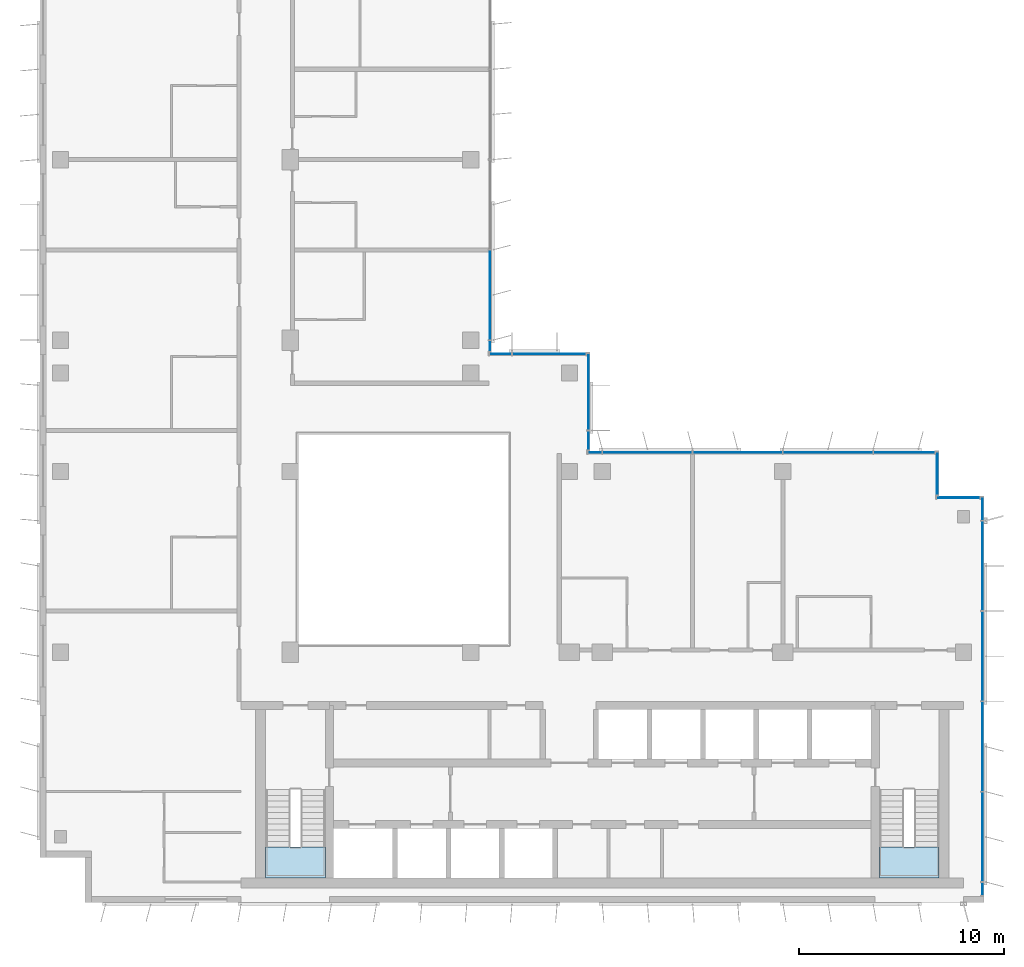
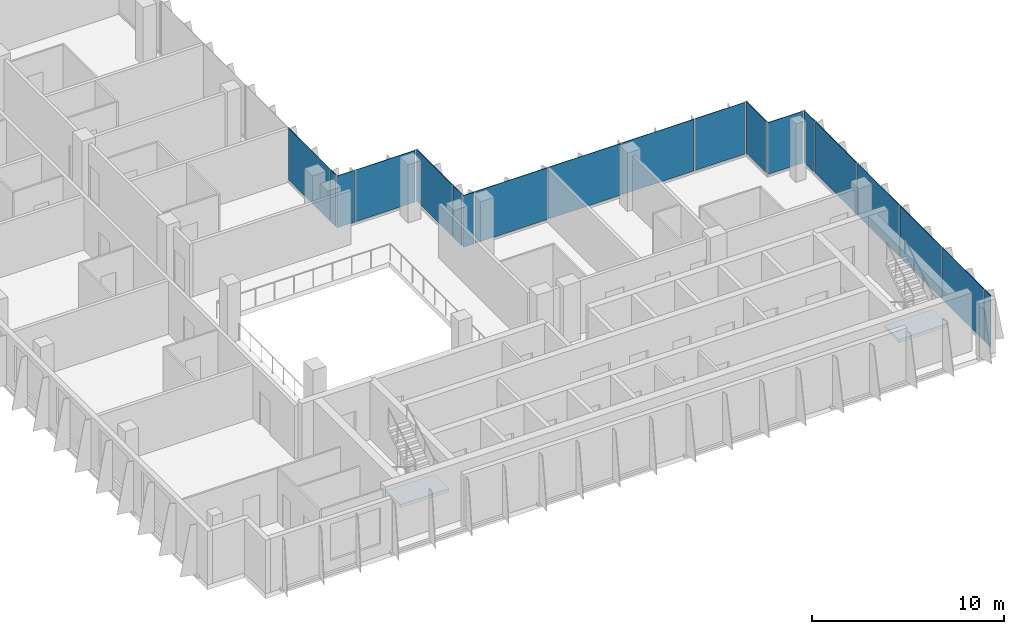
# One storey, part 7 of 16: 19 plates, 2 slabs, 9 elements without a shape of their own.
"""IFC4 building model written with IfcOpenShell, lengths in metres."""

from ifc_helpers import new_model, si_unit, direction, frame, origin, origin_2d, place, context, subcontext, project, spatial, polyline, rectangle, outline, extrude, source, transform, mapped, material, layer, layer_set, type_object, element, aggregate, save


model = new_model("IFC4")

# Units and contexts
model_context = context("Model", 3, precision=1e-05, world=origin(), true_north=direction((0.0, 1.0)))
body_context = subcontext(model_context, "Body", "Model", "MODEL_VIEW")
ifc_project = project(units=[si_unit("LENGTHUNIT", "METRE"), si_unit("AREAUNIT", "SQUARE_METRE"), si_unit("VOLUMEUNIT", "CUBIC_METRE"), si_unit("PLANEANGLEUNIT", "RADIAN"), si_unit("MASSUNIT", "GRAM", prefix="KILO")], contexts=[model_context])

# Site, building, storey
site_placement = place(None, origin())
site = spatial("IfcSite", under=ifc_project, at=site_placement, CompositionType="ELEMENT")
building_placement = place(site_placement, origin())
building = spatial("IfcBuilding", under=site, at=building_placement, Name="Kemantara Hotel Tower", CompositionType="ELEMENT")
storey_placement = place(building_placement, frame((0.0, 0.0, 272.199951171875)))
storey = spatial("IfcBuildingStorey", under=building, at=storey_placement, Name="L68", CompositionType="ELEMENT", Elevation=272.199951171875)

# Stair, slab
ifc_material_1 = material(Name="Concrete fc 40 MPa", Category="concrete")
stair_type = type_object("IfcStairType", Name="Stair 1200 wide 22 risers of 168 x 280 mm", PredefinedType="HALF_TURN_STAIR", material=ifc_material_1)
stair_1_placement = place(storey_placement, origin())
stair_1 = element("IfcStair", 1, at=stair_1_placement, inside=storey, type_object=stair_type, Name="L68 Exit stair ST1", PredefinedType="HALF_TURN_STAIR")
ifc_layer_1 = layer(ifc_material_1, 0.199951171875)
ifc_layer_set_1 = layer_set([ifc_layer_1], Name="Concrete fc 40 MPa")
slab_type = type_object("IfcSlabType", Name="Stair landing 200 mm", PredefinedType="LANDING", material=ifc_layer_set_1)
slab_1_placement = place(storey_placement, frame((0.0, 0.0, 1.650146484375)))
slab_1 = element("IfcSlab", 2, at=slab_1_placement, type_object=slab_type, Name="ST1 landing 1", PredefinedType="LANDING", context=body_context, shape_type="SweptSolid", body=[
    extrude(outline(polyline([(11.0, 2.699951171875), (11.0, 1.199951171875), (13.89990234375, 1.199951171875), (13.89990234375, 2.699951171875), (11.0, 2.699951171875)])), origin(), (0.0, 0.0, 1.0), 0.199951171875),
])
aggregate(stair_1, [slab_1])

stair_2_placement = place(storey_placement, origin())
stair_2 = element("IfcStair", 3, at=stair_2_placement, inside=storey, type_object=stair_type, Name="L68 Exit stair ST2", PredefinedType="HALF_TURN_STAIR")
slab_2_placement = place(storey_placement, frame((0.0, 0.0, 1.650146484375)))
slab_2 = element("IfcSlab", 4, at=slab_2_placement, type_object=slab_type, Name="ST2 landing 1", PredefinedType="LANDING", context=body_context, shape_type="SweptSolid", body=[
    extrude(outline(polyline([(40.89990234375, 2.699951171875), (40.89990234375, 1.199951171875), (43.800048828125, 1.199951171875), (43.800048828125, 2.699951171875), (40.89990234375, 2.699951171875)])), origin(), (0.0, 0.0, 1.0), 0.199951171875),
])
aggregate(stair_2, [slab_2])

# Curtain wall, plates
ifc_material_2 = material(Name="Low-E tinted double insulated glass 36 mm", Category="glass")
curtain_wall_type = type_object("IfcCurtainWallType", Name="TOWER CURTAIN WALL, FRONT FACES", PredefinedType="USERDEFINED", material=ifc_material_2)
curtain_wall_1_placement = place(storey_placement, origin())
curtain_wall_1 = element("IfcCurtainWall", 5, at=curtain_wall_1_placement, inside=storey, type_object=curtain_wall_type, Name="CW4 L68 T4-R09-1", ObjectType="TOWER CURTAIN WALL, FRONT FACES", PredefinedType="USERDEFINED")
ifc_layer_2 = layer(ifc_material_2, 0.035888671875)
ifc_layer_set_2 = layer_set([ifc_layer_2], Name="Low-E tinted double insulated glass 36 mm")
plate_type = type_object("IfcPlateType", Name="TOWER CURTAIN WALL, FRONT FACES PANEL", PredefinedType="CURTAIN_PANEL", material=ifc_layer_set_2)
shared_shape_1 = source(origin(), body_context, "Body", "SweptSolid", [
    extrude(rectangle(XDim=4.340087890625, YDim=0.035888671875, at=origin_2d()), origin(), (0.0, 0.0, 1.0), 3.280029296875),
])
plate_1_placement = place(storey_placement, frame((45.925048828125, 3.199951171875, 0.1201171875), z_axis=(0.0, 0.0, 1.0), x_axis=(0.0, 1.0, 0.0)))
plate_1 = element("IfcPlate", 6, at=plate_1_placement, type_object=plate_type, Name="CW4 glass panel T4-R09-1.2", PredefinedType="CURTAIN_PANEL", context=body_context, shape_type="MappedRepresentation", body=[
    mapped(shared_shape_1, transform((0.0, 0.0, 0.0))),
])
plate_2_placement = place(storey_placement, frame((45.925048828125, 7.60009765625, 0.1201171875), z_axis=(0.0, 0.0, 1.0), x_axis=(0.0, 1.0, 0.0)))
plate_2 = element("IfcPlate", 7, at=plate_2_placement, type_object=plate_type, Name="CW4 glass panel T4-R09-1.3", PredefinedType="CURTAIN_PANEL", context=body_context, shape_type="MappedRepresentation", body=[
    mapped(shared_shape_1, transform((0.0, 0.0, 0.0))),
])
plate_3_placement = place(storey_placement, frame((45.925048828125, 12.0, 0.1201171875), z_axis=(0.0, 0.0, 1.0), x_axis=(0.0, 1.0, 0.0)))
plate_3 = element("IfcPlate", 8, at=plate_3_placement, type_object=plate_type, Name="CW4 glass panel T4-R09-1.4", PredefinedType="CURTAIN_PANEL", context=body_context, shape_type="MappedRepresentation", body=[
    mapped(shared_shape_1, transform((0.0, 0.0, 0.0))),
])
plate_4_placement = place(storey_placement, frame((45.925048828125, 16.39990234375, 0.1201171875), z_axis=(0.0, 0.0, 1.0), x_axis=(0.0, 1.0, 0.0)))
plate_4 = element("IfcPlate", 9, at=plate_4_placement, type_object=plate_type, Name="CW4 glass panel T4-R09-1.5", PredefinedType="CURTAIN_PANEL", context=body_context, shape_type="MappedRepresentation", body=[
    mapped(shared_shape_1, transform((0.0, 0.0, 0.0))),
])

curtain_wall_2_placement = place(storey_placement, origin())
curtain_wall_2 = element("IfcCurtainWall", 10, at=curtain_wall_2_placement, inside=storey, type_object=curtain_wall_type, Name="CW4 L68 T4-R12-1", ObjectType="TOWER CURTAIN WALL, FRONT FACES", PredefinedType="USERDEFINED")
plate_5_placement = place(storey_placement, frame((38.39990234375, 21.925048828125, 0.1201171875), z_axis=(0.0, 0.0, 1.0), x_axis=(-1.0, 0.0, 0.0)))
plate_5 = element("IfcPlate", 11, at=plate_5_placement, type_object=plate_type, Name="CW4 glass panel T4-R12-1.2", PredefinedType="CURTAIN_PANEL", context=body_context, shape_type="MappedRepresentation", body=[
    mapped(shared_shape_1, transform((0.0, 0.0, 0.0))),
])
plate_6_placement = place(storey_placement, frame((34.0, 21.925048828125, 0.1201171875), z_axis=(0.0, 0.0, 1.0), x_axis=(-1.0, 0.0, 0.0)))
plate_6 = element("IfcPlate", 12, at=plate_6_placement, type_object=plate_type, Name="CW4 glass panel T4-R12-1.3", PredefinedType="CURTAIN_PANEL", context=body_context, shape_type="MappedRepresentation", body=[
    mapped(shared_shape_1, transform((0.0, 0.0, 0.0))),
])
plate_7_placement = place(storey_placement, frame((29.60009765625, 21.925048828125, 0.1201171875), z_axis=(0.0, 0.0, 1.0), x_axis=(-1.0, 0.0, 0.0)))
plate_7 = element("IfcPlate", 13, at=plate_7_placement, type_object=plate_type, Name="CW4 glass panel T4-R12-1.4", PredefinedType="CURTAIN_PANEL", context=body_context, shape_type="MappedRepresentation", body=[
    mapped(shared_shape_1, transform((0.0, 0.0, 0.0))),
])

# Curtain wall, plate
curtain_wall_3_placement = place(storey_placement, origin())
curtain_wall_3 = element("IfcCurtainWall", 14, at=curtain_wall_3_placement, inside=storey, type_object=curtain_wall_type, Name="CW4 L68 T4-R15-1", ObjectType="TOWER CURTAIN WALL, FRONT FACES", PredefinedType="USERDEFINED")
plate_8_placement = place(storey_placement, frame((21.925048828125, 29.60009765625, 0.1201171875), z_axis=(0.0, 0.0, 1.0), x_axis=(0.0, 1.0, 0.0)))
plate_8 = element("IfcPlate", 15, at=plate_8_placement, type_object=plate_type, Name="CW4 glass panel T4-R15-1.2", PredefinedType="CURTAIN_PANEL", context=body_context, shape_type="MappedRepresentation", body=[
    mapped(shared_shape_1, transform((0.0, 0.0, 0.0))),
])

curtain_wall_4_placement = place(storey_placement, origin())
curtain_wall_4 = element("IfcCurtainWall", 16, at=curtain_wall_4_placement, inside=storey, type_object=curtain_wall_type, Name="CW4 L68 T4-R10-1", ObjectType="TOWER CURTAIN WALL, FRONT FACES", PredefinedType="USERDEFINED")
shared_shape_2 = source(origin(), body_context, "Body", "SweptSolid", [
    extrude(rectangle(XDim=2.080078125, YDim=0.035888671875, at=origin_2d()), origin(), (0.0, 0.0, 1.0), 3.280029296875),
])
plate_9_placement = place(storey_placement, frame((44.75, 19.72509765625, 0.1201171875), z_axis=(0.0, 0.0, 1.0), x_axis=(-1.0, 0.0, 0.0)))
plate_9 = element("IfcPlate", 17, at=plate_9_placement, type_object=plate_type, Name="CW4 glass panel T4-R10-1.1", PredefinedType="CURTAIN_PANEL", context=body_context, shape_type="MappedRepresentation", body=[
    mapped(shared_shape_2, transform((0.0, 0.0, 0.0))),
])
aggregate(curtain_wall_4, [plate_9])

curtain_wall_5_placement = place(storey_placement, origin())
curtain_wall_5 = element("IfcCurtainWall", 18, at=curtain_wall_5_placement, inside=storey, type_object=curtain_wall_type, Name="CW4 L68 T4-R11-1", ObjectType="TOWER CURTAIN WALL, FRONT FACES", PredefinedType="USERDEFINED")
plate_10_placement = place(storey_placement, frame((43.72509765625, 20.89990234375, 0.1201171875), z_axis=(0.0, 0.0, 1.0), x_axis=(0.0, 1.0, 0.0)))
plate_10 = element("IfcPlate", 19, at=plate_10_placement, type_object=plate_type, Name="CW4 glass panel T4-R11-1.1", PredefinedType="CURTAIN_PANEL", context=body_context, shape_type="MappedRepresentation", body=[
    mapped(shared_shape_2, transform((0.0, 0.0, 0.0))),
])
aggregate(curtain_wall_5, [plate_10])

# Plate
shared_shape_3 = source(origin(), body_context, "Body", "SweptSolid", [
    extrude(rectangle(XDim=2.9599609375, YDim=0.035888671875, at=origin_2d()), origin(), (0.0, 0.0, 1.0), 3.280029296875),
])
plate_11_placement = place(storey_placement, frame((42.110107421875, 21.925048828125, 0.1201171875), z_axis=(0.0, 0.0, 1.0), x_axis=(-1.0, 0.0, 0.0)))
plate_11 = element("IfcPlate", 20, at=plate_11_placement, type_object=plate_type, Name="CW4 glass panel T4-R12-1.1", PredefinedType="CURTAIN_PANEL", context=body_context, shape_type="MappedRepresentation", body=[
    mapped(shared_shape_3, transform((0.0, 0.0, 0.0))),
])

shared_shape_4 = source(origin(), body_context, "Body", "SweptSolid", [
    extrude(rectangle(XDim=0.659912109375, YDim=0.035888671875, at=origin_2d()), origin(), (0.0, 0.0, 1.0), 3.280029296875),
])
plate_12_placement = place(storey_placement, frame((27.0400390625, 21.925048828125, 0.1201171875), z_axis=(0.0, 0.0, 1.0), x_axis=(-1.0, 0.0, 0.0)))
plate_12 = element("IfcPlate", 21, at=plate_12_placement, type_object=plate_type, Name="CW4 glass panel T4-R12-1.5", PredefinedType="CURTAIN_PANEL", context=body_context, shape_type="MappedRepresentation", body=[
    mapped(shared_shape_4, transform((0.0, 0.0, 0.0))),
])

aggregate(curtain_wall_2, [plate_11, plate_5, plate_6, plate_7, plate_12])

shared_shape_5 = source(origin(), body_context, "Body", "SweptSolid", [
    extrude(rectangle(XDim=0.510009765625, YDim=0.035888671875, at=origin_2d()), origin(), (0.0, 0.0, 1.0), 3.280029296875),
])
plate_13_placement = place(storey_placement, frame((21.925048828125, 27.114990234375, 0.1201171875), z_axis=(0.0, 0.0, 1.0), x_axis=(0.0, 1.0, 0.0)))
plate_13 = element("IfcPlate", 22, at=plate_13_placement, type_object=plate_type, Name="CW4 glass panel T4-R15-1.1", PredefinedType="CURTAIN_PANEL", context=body_context, shape_type="MappedRepresentation", body=[
    mapped(shared_shape_5, transform((0.0, 0.0, 0.0))),
])

aggregate(curtain_wall_3, [plate_13, plate_8])

# Curtain wall, plate
curtain_wall_6_placement = place(storey_placement, origin())
curtain_wall_6 = element("IfcCurtainWall", 23, at=curtain_wall_6_placement, inside=storey, type_object=curtain_wall_type, Name="CW4 L68 T4-R13-1", ObjectType="TOWER CURTAIN WALL, FRONT FACES", PredefinedType="USERDEFINED")
shared_shape_6 = source(origin(), body_context, "Body", "SweptSolid", [
    extrude(rectangle(XDim=0.909912109375, YDim=0.035888671875, at=origin_2d()), origin(), (0.0, 0.0, 1.0), 3.280029296875),
])
plate_14_placement = place(storey_placement, frame((26.72509765625, 22.514892578125, 0.1201171875), z_axis=(0.0, 0.0, 1.0), x_axis=(0.0, 1.0, 0.0)))
plate_14 = element("IfcPlate", 24, at=plate_14_placement, type_object=plate_type, Name="CW4 glass panel T4-R13-1.1", PredefinedType="CURTAIN_PANEL", context=body_context, shape_type="MappedRepresentation", body=[
    mapped(shared_shape_6, transform((0.0, 0.0, 0.0))),
])

# Plate
shared_shape_7 = source(origin(), body_context, "Body", "SweptSolid", [
    extrude(rectangle(XDim=1.110107421875, YDim=0.035888671875, at=origin_2d()), origin(), (0.0, 0.0, 1.0), 3.280029296875),
])
plate_15_placement = place(storey_placement, frame((45.925048828125, 19.18505859375, 0.1201171875), z_axis=(0.0, 0.0, 1.0), x_axis=(0.0, 1.0, 0.0)))
plate_15 = element("IfcPlate", 25, at=plate_15_placement, type_object=plate_type, Name="CW4 glass panel T4-R09-1.6", PredefinedType="CURTAIN_PANEL", context=body_context, shape_type="MappedRepresentation", body=[
    mapped(shared_shape_7, transform((0.0, 0.0, 0.0))),
])

shared_shape_8 = source(origin(), body_context, "Body", "SweptSolid", [
    extrude(rectangle(XDim=3.7099609375, YDim=0.035888671875, at=origin_2d()), origin(), (0.0, 0.0, 1.0), 3.280029296875),
])
plate_16_placement = place(storey_placement, frame((26.72509765625, 24.885009765625, 0.1201171875), z_axis=(0.0, 0.0, 1.0), x_axis=(0.0, 1.0, 0.0)))
plate_16 = element("IfcPlate", 26, at=plate_16_placement, type_object=plate_type, Name="CW4 glass panel T4-R13-1.2", PredefinedType="CURTAIN_PANEL", context=body_context, shape_type="MappedRepresentation", body=[
    mapped(shared_shape_8, transform((0.0, 0.0, 0.0))),
])

aggregate(curtain_wall_6, [plate_14, plate_16])

# Curtain wall, plates
curtain_wall_7_placement = place(storey_placement, origin())
curtain_wall_7 = element("IfcCurtainWall", 27, at=curtain_wall_7_placement, inside=storey, type_object=curtain_wall_type, Name="CW4 L68 T4-R14-1", ObjectType="TOWER CURTAIN WALL, FRONT FACES", PredefinedType="USERDEFINED")
shared_shape_9 = source(origin(), body_context, "Body", "SweptSolid", [
    extrude(rectangle(XDim=3.56005859375, YDim=0.035888671875, at=origin_2d()), origin(), (0.0, 0.0, 1.0), 3.280029296875),
])
plate_17_placement = place(storey_placement, frame((24.81005859375, 26.72509765625, 0.1201171875), z_axis=(0.0, 0.0, 1.0), x_axis=(-1.0, 0.0, 0.0)))
plate_17 = element("IfcPlate", 28, at=plate_17_placement, type_object=plate_type, Name="CW4 glass panel T4-R14-1.1", PredefinedType="CURTAIN_PANEL", context=body_context, shape_type="MappedRepresentation", body=[
    mapped(shared_shape_9, transform((0.0, 0.0, 0.0))),
])
shared_shape_10 = source(origin(), body_context, "Body", "SweptSolid", [
    extrude(rectangle(XDim=1.06005859375, YDim=0.035888671875, at=origin_2d()), origin(), (0.0, 0.0, 1.0), 3.280029296875),
])
plate_18_placement = place(storey_placement, frame((22.43994140625, 26.72509765625, 0.1201171875), z_axis=(0.0, 0.0, 1.0), x_axis=(-1.0, 0.0, 0.0)))
plate_18 = element("IfcPlate", 29, at=plate_18_placement, type_object=plate_type, Name="CW4 glass panel T4-R14-1.2", PredefinedType="CURTAIN_PANEL", context=body_context, shape_type="MappedRepresentation", body=[
    mapped(shared_shape_10, transform((0.0, 0.0, 0.0))),
])
aggregate(curtain_wall_7, [plate_17, plate_18])

# Plate
shared_shape_11 = source(origin(), body_context, "Body", "SweptSolid", [
    extrude(rectangle(XDim=0.610107421875, YDim=0.035888671875, at=origin_2d()), origin(), (0.0, 0.0, 1.0), 3.280029296875),
])
plate_19_placement = place(storey_placement, frame((45.925048828125, 0.6650390625, 0.1201171875), z_axis=(0.0, 0.0, 1.0), x_axis=(0.0, 1.0, 0.0)))
plate_19 = element("IfcPlate", 30, at=plate_19_placement, type_object=plate_type, Name="CW4 glass panel T4-R09-1.1", PredefinedType="CURTAIN_PANEL", context=body_context, shape_type="MappedRepresentation", body=[
    mapped(shared_shape_11, transform((0.0, 0.0, 0.0))),
])

aggregate(curtain_wall_1, [plate_19, plate_1, plate_2, plate_3, plate_4, plate_15])

save(model, "model.ifc")
